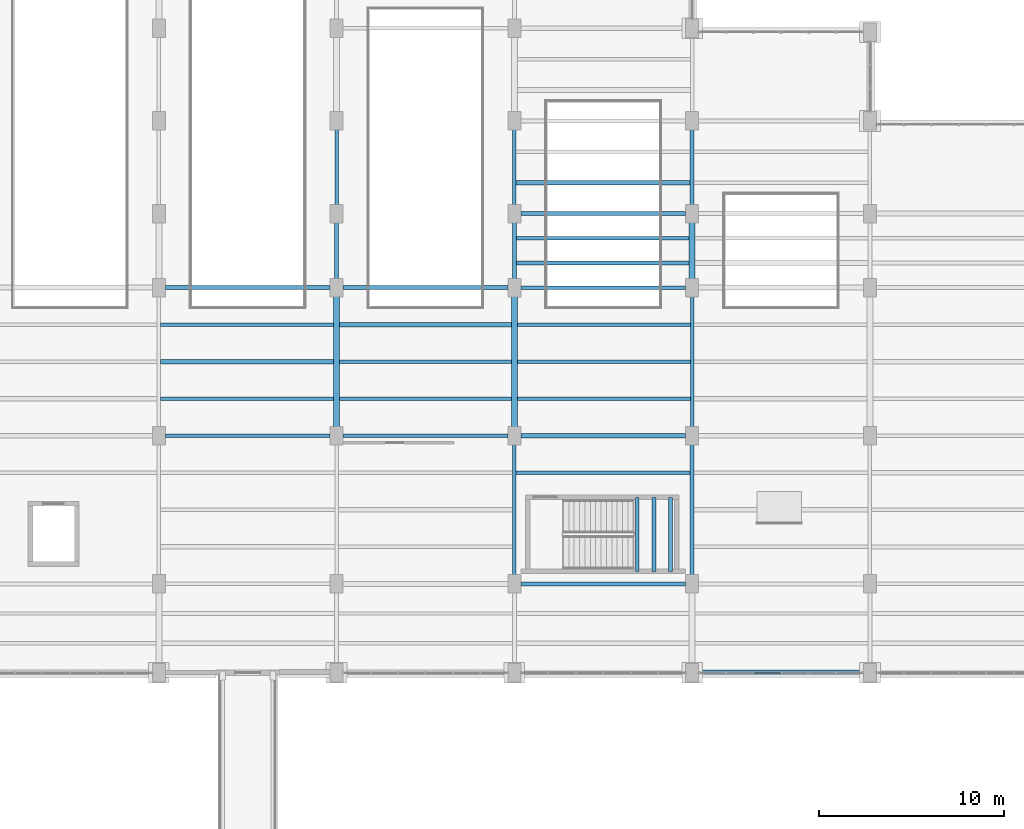
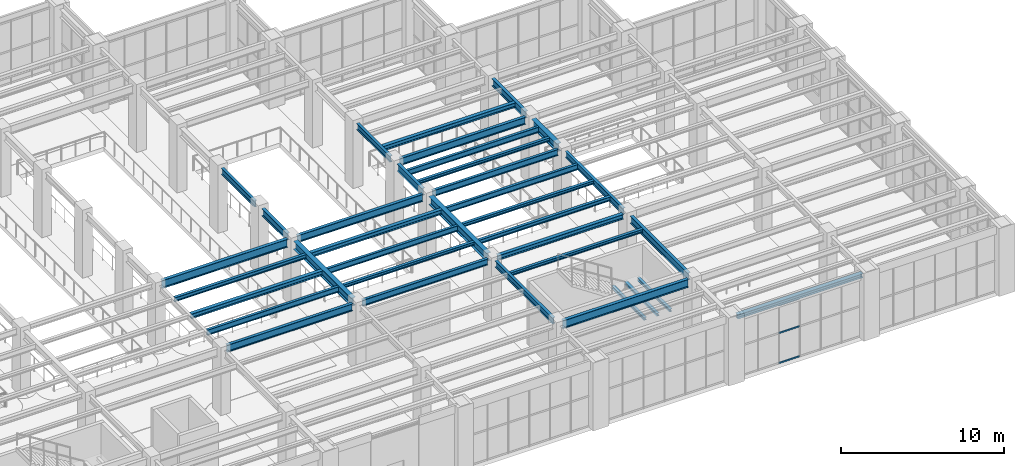
# One storey, part 101 of 174: 36 beams, 3 members, 1 element without a shape of its own.
"""IFC4 building model written with IfcOpenShell, lengths in metres."""

from ifc_helpers import new_model, si_unit, direction, frame, origin, origin_2d, place, context, subcontext, project, spatial, hollow_rectangle, i_section, extrude, material, material_profile, profile_set, type_object, element, aggregate, save


model = new_model("IFC4")

# Units and contexts
model_context = context("Model", 3, precision=1e-05, world=origin(), true_north=direction((0.0, 1.0)))
body_context = subcontext(model_context, "Body", "Model", "MODEL_VIEW")
ifc_project = project(units=[si_unit("LENGTHUNIT", "METRE"), si_unit("AREAUNIT", "SQUARE_METRE"), si_unit("VOLUMEUNIT", "CUBIC_METRE"), si_unit("PLANEANGLEUNIT", "RADIAN"), si_unit("MASSUNIT", "GRAM", prefix="KILO")], contexts=[model_context])

# Site, building, storey
site_placement = place(None, origin())
site = spatial("IfcSite", under=ifc_project, at=site_placement, CompositionType="ELEMENT")
building_placement = place(site_placement, origin())
building = spatial("IfcBuilding", under=site, at=building_placement, Name="Mavantir Sound Aquarium", CompositionType="ELEMENT")
storey_placement = place(building_placement, frame((0.0, 0.0, 5.39990234375)))
storey = spatial("IfcBuildingStorey", under=building, at=storey_placement, Name="L01", CompositionType="ELEMENT", Elevation=5.39990234375)

# Beams
ifc_material_1 = material(Name="Structural Steel ASTM A992 Gr50", Category="steel")
ifc_material_profile_1 = material_profile(ifc_material_1, i_section(OverallWidth=0.202880859375, OverallDepth=0.202880859375, WebThickness=0.007080078125, FlangeThickness=0.010986328125, FilletRadius=0.010009765625, at=origin_2d()), Name="W200X46")
ifc_profile_set_1 = profile_set([ifc_material_profile_1], Name="Structural Steel ASTM A992 Gr50")
beam_type_1 = type_object("IfcBeamType", Name="BM-W200X46-I", PredefinedType="LINTEL", material=ifc_profile_set_1)
for number, where, z_axis, x_axis, name in (
    (1, (153.0400390625, 41.47509765625, 2.24560546875), (0.0, 1.0, 0.0), (-1.0, 0.0, 0.0), "Stair ST12 landing support beam 76"),
    (2, (153.93505859375, 41.47509765625, 2.24560546875), (0.0, 1.0, 0.0), (-1.0, 0.0, 0.0), "Stair ST12 landing support beam 77"),
    (3, (154.830078125, 41.47509765625, 2.24560546875), (0.0, 1.0, 0.0), (-1.0, 0.0, 0.0), "Stair ST12 landing support beam 78"),
):
    element("IfcBeam", number, at=place(storey_placement, frame(where, z_axis=z_axis, x_axis=x_axis)), inside=storey, type_object=beam_type_1, Name=name, PredefinedType="LINTEL", context=body_context, shape_type="SweptSolid", body=[
        extrude(i_section(OverallWidth=0.202880859375, OverallDepth=0.202880859375, WebThickness=0.007080078125, FlangeThickness=0.010986328125, FilletRadius=0.010009765625, at=origin_2d()), origin(), (0.0, 0.0, 1.0), 4.0),
    ])
ifc_material_profile_2 = material_profile(ifc_material_1, i_section(OverallWidth=0.202880859375, OverallDepth=0.251953125, WebThickness=0.008056640625, FlangeThickness=0.013427734375, FilletRadius=0.011962890625, at=origin_2d()), Name="W250X58")
ifc_profile_set_2 = profile_set([ifc_material_profile_2], Name="Structural Steel ASTM A992 Gr50")
beam_type_2 = type_object("IfcBeamType", Name="BM-W250X58-I", PredefinedType="JOIST", material=ifc_profile_set_2)
beam_1_placement = place(storey_placement, frame((146.4970703125, 46.800048828125, 4.68017578125), z_axis=(1.0, 0.0, 0.0), x_axis=(0.0, 1.0, 0.0)))
element("IfcBeam", 4, at=beam_1_placement, inside=storey, type_object=beam_type_2, Name="L01 secondary floor joist SJ-25 744", PredefinedType="JOIST", context=body_context, shape_type="SweptSolid", body=[
    extrude(i_section(OverallWidth=0.202880859375, OverallDepth=0.251953125, WebThickness=0.008056640625, FlangeThickness=0.013427734375, FilletRadius=0.011962890625, at=origin_2d()), origin(), (0.0, 0.0, 1.0), 9.39697265625),
])
beam_2_placement = place(storey_placement, frame((136.9619140625, 50.800048828125, 4.68017578125), z_axis=(1.0, 0.0, 0.0), x_axis=(0.0, 1.0, 0.0)))
element("IfcBeam", 5, at=beam_2_placement, inside=storey, type_object=beam_type_2, Name="L01 secondary floor joist SJ-25 760", PredefinedType="JOIST", context=body_context, shape_type="SweptSolid", body=[
    extrude(i_section(OverallWidth=0.202880859375, OverallDepth=0.251953125, WebThickness=0.008056640625, FlangeThickness=0.013427734375, FilletRadius=0.011962890625, at=origin_2d()), origin(), (0.0, 0.0, 1.0), 9.276123046875),
])
beam_3_placement = place(storey_placement, frame((146.56201171875, 52.800048828125, 4.68017578125), z_axis=(1.0, 0.0, 0.0), x_axis=(0.0, 1.0, 0.0)))
element("IfcBeam", 6, at=beam_3_placement, inside=storey, type_object=beam_type_2, Name="L01 secondary floor joist SJ-25 764", PredefinedType="JOIST", context=body_context, shape_type="SweptSolid", body=[
    extrude(i_section(OverallWidth=0.202880859375, OverallDepth=0.251953125, WebThickness=0.008056640625, FlangeThickness=0.013427734375, FilletRadius=0.011962890625, at=origin_2d()), origin(), (0.0, 0.0, 1.0), 9.341064453125),
])
beam_4_placement = place(storey_placement, frame((146.506103515625, 58.13330078125, 4.68017578125), z_axis=(1.0, 0.0, 0.0), x_axis=(0.0, 1.0, 0.0)))
element("IfcBeam", 7, at=beam_4_placement, inside=storey, type_object=beam_type_2, Name="L01 secondary floor joist SJ-25 772", PredefinedType="JOIST", context=body_context, shape_type="SweptSolid", body=[
    extrude(i_section(OverallWidth=0.202880859375, OverallDepth=0.251953125, WebThickness=0.008056640625, FlangeThickness=0.013427734375, FilletRadius=0.011962890625, at=origin_2d()), origin(), (0.0, 0.0, 1.0), 9.331787109375),
])
ifc_material_profile_3 = material_profile(ifc_material_1, i_section(OverallWidth=0.205078125, OverallDepth=0.31005859375, WebThickness=0.009521484375, FlangeThickness=0.016357421875, FilletRadius=0.012939453125, at=origin_2d()), Name="W310X74")
ifc_profile_set_3 = profile_set([ifc_material_profile_3], Name="Structural Steel ASTM A992 Gr50")
beam_type_3 = type_object("IfcBeamType", Name="BM-W310X74-I", PredefinedType="JOIST", material=ifc_profile_set_3)
beam_5_placement = place(storey_placement, frame((127.297119140625, 54.800048828125, 4.651123046875), z_axis=(1.0, 0.0, 0.0), x_axis=(0.0, 1.0, 0.0)))
element("IfcBeam", 8, at=beam_5_placement, inside=storey, type_object=beam_type_3, Name="L01 secondary floor joist SJ-31 759", PredefinedType="JOIST", context=body_context, shape_type="SweptSolid", body=[
    extrude(i_section(OverallWidth=0.205078125, OverallDepth=0.31005859375, WebThickness=0.009521484375, FlangeThickness=0.016357421875, FilletRadius=0.012939453125, at=origin_2d()), origin(), (0.0, 0.0, 1.0), 9.3408203125),
])
beam_6_placement = place(storey_placement, frame((146.56201171875, 50.800048828125, 4.651123046875), z_axis=(1.0, 0.0, 0.0), x_axis=(0.0, 1.0, 0.0)))
element("IfcBeam", 9, at=beam_6_placement, inside=storey, type_object=beam_type_3, Name="L01 secondary floor joist SJ-31 763", PredefinedType="JOIST", context=body_context, shape_type="SweptSolid", body=[
    extrude(i_section(OverallWidth=0.205078125, OverallDepth=0.31005859375, WebThickness=0.009521484375, FlangeThickness=0.016357421875, FilletRadius=0.012939453125, at=origin_2d()), origin(), (0.0, 0.0, 1.0), 9.341064453125),
])
ifc_material_profile_4 = material_profile(ifc_material_1, i_section(OverallWidth=0.304931640625, OverallDepth=0.30810546875, WebThickness=0.010009765625, FlangeThickness=0.015380859375, FilletRadius=0.014892578125, at=origin_2d()), Name="W310X97")
ifc_profile_set_4 = profile_set([ifc_material_profile_4], Name="Structural Steel ASTM A992 Gr50")
beam_type_4 = type_object("IfcBeamType", Name="BM-W310X97-E", PredefinedType="SPANDREL", material=ifc_profile_set_4)
beam_7_placement = place(storey_placement, frame((156.35009765625, 36.0, 4.6220703125), z_axis=(1.0, 0.0, 0.0), x_axis=(0.0, 1.0, 0.0)))
element("IfcBeam", 10, at=beam_7_placement, inside=storey, type_object=beam_type_4, Name="L01 primary beam SS-31A 1243", PredefinedType="SPANDREL", context=body_context, shape_type="SweptSolid", body=[
    extrude(i_section(OverallWidth=0.304931640625, OverallDepth=0.30810546875, WebThickness=0.010009765625, FlangeThickness=0.015380859375, FilletRadius=0.014892578125, at=origin_2d()), origin(), (0.0, 0.0, 1.0), 8.89990234375),
])
ifc_material_profile_5 = material_profile(ifc_material_1, i_section(OverallWidth=0.257080078125, OverallDepth=0.363037109375, WebThickness=0.012939453125, FlangeThickness=0.021728515625, FilletRadius=0.014892578125, at=origin_2d()), Name="W360X122")
ifc_profile_set_5 = profile_set([ifc_material_profile_5], Name="Structural Steel ASTM A992 Gr50")
beam_type_5 = type_object("IfcBeamType", Name="BM-W360X122-I", PredefinedType="BEAM", material=ifc_profile_set_5)
beam_8_placement = place(storey_placement, frame((146.75, 48.800048828125, 4.62451171875), z_axis=(1.0, 0.0, 0.0), x_axis=(0.0, 1.0, 0.0)))
element("IfcBeam", 11, at=beam_8_placement, inside=storey, type_object=beam_type_5, Name="L01 primary beam SB-36A 1256", PredefinedType="BEAM", context=body_context, shape_type="SweptSolid", body=[
    extrude(i_section(OverallWidth=0.257080078125, OverallDepth=0.363037109375, WebThickness=0.012939453125, FlangeThickness=0.021728515625, FilletRadius=0.014892578125, at=origin_2d()), origin(), (0.0, 0.0, 1.0), 8.89990234375),
])
ifc_material_profile_6 = material_profile(ifc_material_1, i_section(OverallWidth=0.25390625, OverallDepth=0.35302734375, WebThickness=0.009521484375, FlangeThickness=0.016357421875, FilletRadius=0.014892578125, at=origin_2d()), Name="W360X91")
ifc_profile_set_6 = profile_set([ifc_material_profile_6], Name="Structural Steel ASTM A992 Gr50")
beam_type_6 = type_object("IfcBeamType", Name="BM-W360X91-I", PredefinedType="JOIST", material=ifc_profile_set_6)
beam_9_placement = place(storey_placement, frame((127.297119140625, 52.800048828125, 4.629638671875), z_axis=(1.0, 0.0, 0.0), x_axis=(0.0, 1.0, 0.0)))
element("IfcBeam", 12, at=beam_9_placement, inside=storey, type_object=beam_type_6, Name="L01 secondary floor joist SJ-36 758", PredefinedType="JOIST", context=body_context, shape_type="SweptSolid", body=[
    extrude(i_section(OverallWidth=0.25390625, OverallDepth=0.35302734375, WebThickness=0.009521484375, FlangeThickness=0.016357421875, FilletRadius=0.014892578125, at=origin_2d()), origin(), (0.0, 0.0, 1.0), 9.3408203125),
])
beam_10_placement = place(storey_placement, frame((136.9619140625, 54.800048828125, 4.629638671875), z_axis=(1.0, 0.0, 0.0), x_axis=(0.0, 1.0, 0.0)))
element("IfcBeam", 13, at=beam_10_placement, inside=storey, type_object=beam_type_6, Name="L01 secondary floor joist SJ-36 762", PredefinedType="JOIST", context=body_context, shape_type="SweptSolid", body=[
    extrude(i_section(OverallWidth=0.25390625, OverallDepth=0.35302734375, WebThickness=0.009521484375, FlangeThickness=0.016357421875, FilletRadius=0.014892578125, at=origin_2d()), origin(), (0.0, 0.0, 1.0), 9.276123046875),
])
beam_11_placement = place(storey_placement, frame((146.4970703125, 62.466796875, 4.629638671875), z_axis=(1.0, 0.0, 0.0), x_axis=(0.0, 1.0, 0.0)))
element("IfcBeam", 14, at=beam_11_placement, inside=storey, type_object=beam_type_6, Name="L01 secondary floor joist SJ-36 778", PredefinedType="JOIST", context=body_context, shape_type="SweptSolid", body=[
    extrude(i_section(OverallWidth=0.25390625, OverallDepth=0.35302734375, WebThickness=0.009521484375, FlangeThickness=0.016357421875, FilletRadius=0.014892578125, at=origin_2d()), origin(), (0.0, 0.0, 1.0), 9.39697265625),
])
ifc_material_profile_7 = material_profile(ifc_material_1, i_section(OverallWidth=0.180908203125, OverallDepth=0.4169921875, WebThickness=0.010986328125, FlangeThickness=0.018310546875, FilletRadius=0.014892578125, at=origin_2d()), Name="W410X85")
ifc_profile_set_7 = profile_set([ifc_material_profile_7], Name="Structural Steel ASTM A992 Gr50")
beam_type_7 = type_object("IfcBeamType", Name="BM-W410X85-I", PredefinedType="JOIST", material=ifc_profile_set_7)
beam_12_placement = place(storey_placement, frame((127.297119140625, 50.800048828125, 4.59765625), z_axis=(1.0, 0.0, 0.0), x_axis=(0.0, 1.0, 0.0)))
element("IfcBeam", 15, at=beam_12_placement, inside=storey, type_object=beam_type_7, Name="L01 secondary floor joist SJ-41 757", PredefinedType="JOIST", context=body_context, shape_type="SweptSolid", body=[
    extrude(i_section(OverallWidth=0.180908203125, OverallDepth=0.4169921875, WebThickness=0.010986328125, FlangeThickness=0.018310546875, FilletRadius=0.014892578125, at=origin_2d()), origin(), (0.0, 0.0, 1.0), 9.3408203125),
])
beam_13_placement = place(storey_placement, frame((136.9619140625, 52.800048828125, 4.59765625), z_axis=(1.0, 0.0, 0.0), x_axis=(0.0, 1.0, 0.0)))
element("IfcBeam", 16, at=beam_13_placement, inside=storey, type_object=beam_type_7, Name="L01 secondary floor joist SJ-41 761", PredefinedType="JOIST", context=body_context, shape_type="SweptSolid", body=[
    extrude(i_section(OverallWidth=0.180908203125, OverallDepth=0.4169921875, WebThickness=0.010986328125, FlangeThickness=0.018310546875, FilletRadius=0.014892578125, at=origin_2d()), origin(), (0.0, 0.0, 1.0), 9.276123046875),
])
beam_14_placement = place(storey_placement, frame((146.56201171875, 54.800048828125, 4.59765625), z_axis=(1.0, 0.0, 0.0), x_axis=(0.0, 1.0, 0.0)))
element("IfcBeam", 17, at=beam_14_placement, inside=storey, type_object=beam_type_7, Name="L01 secondary floor joist SJ-41 765", PredefinedType="JOIST", context=body_context, shape_type="SweptSolid", body=[
    extrude(i_section(OverallWidth=0.180908203125, OverallDepth=0.4169921875, WebThickness=0.010986328125, FlangeThickness=0.018310546875, FilletRadius=0.014892578125, at=origin_2d()), origin(), (0.0, 0.0, 1.0), 9.341064453125),
])
beam_15_placement = place(storey_placement, frame((146.506103515625, 59.466796875, 4.59765625), z_axis=(1.0, 0.0, 0.0), x_axis=(0.0, 1.0, 0.0)))
element("IfcBeam", 18, at=beam_15_placement, inside=storey, type_object=beam_type_7, Name="L01 secondary floor joist SJ-41 773", PredefinedType="JOIST", context=body_context, shape_type="SweptSolid", body=[
    extrude(i_section(OverallWidth=0.180908203125, OverallDepth=0.4169921875, WebThickness=0.010986328125, FlangeThickness=0.018310546875, FilletRadius=0.014892578125, at=origin_2d()), origin(), (0.0, 0.0, 1.0), 9.331787109375),
])
ifc_material_profile_8 = material_profile(ifc_material_1, i_section(OverallWidth=0.194091796875, OverallDepth=0.468994140625, WebThickness=0.0126953125, FlangeThickness=0.0205078125, FilletRadius=0.01611328125, at=origin_2d()), Name="W460X106")
ifc_profile_set_8 = profile_set([ifc_material_profile_8], Name="Structural Steel ASTM A992 Gr50")
beam_type_8 = type_object("IfcBeamType", Name="BM-W460X106-I", PredefinedType="BEAM", material=ifc_profile_set_8)
beam_16_placement = place(storey_placement, frame((137.14990234375, 48.800048828125, 4.571533203125), z_axis=(1.0, 0.0, 0.0), x_axis=(0.0, 1.0, 0.0)))
element("IfcBeam", 19, at=beam_16_placement, inside=storey, type_object=beam_type_8, Name="L01 primary beam SB-46 1255", PredefinedType="BEAM", context=body_context, shape_type="SweptSolid", body=[
    extrude(i_section(OverallWidth=0.194091796875, OverallDepth=0.468994140625, WebThickness=0.0126953125, FlangeThickness=0.0205078125, FilletRadius=0.01611328125, at=origin_2d()), origin(), (0.0, 0.0, 1.0), 8.900146484375),
])
beam_17_placement = place(storey_placement, frame((146.75, 56.800048828125, 4.571533203125), z_axis=(1.0, 0.0, 0.0), x_axis=(0.0, 1.0, 0.0)))
element("IfcBeam", 20, at=beam_17_placement, inside=storey, type_object=beam_type_8, Name="L01 primary beam SB-46 1263", PredefinedType="BEAM", context=body_context, shape_type="SweptSolid", body=[
    extrude(i_section(OverallWidth=0.194091796875, OverallDepth=0.468994140625, WebThickness=0.0126953125, FlangeThickness=0.0205078125, FilletRadius=0.01611328125, at=origin_2d()), origin(), (0.0, 0.0, 1.0), 8.89990234375),
])
beam_18_placement = place(storey_placement, frame((136.800048828125, 61.25, 4.571533203125), z_axis=(0.0, 1.0, 0.0), x_axis=(-1.0, 0.0, 0.0)))
element("IfcBeam", 21, at=beam_18_placement, inside=storey, type_object=beam_type_8, Name="L01 primary girder SB-46 1326", PredefinedType="BEAM", context=body_context, shape_type="SweptSolid", body=[
    extrude(i_section(OverallWidth=0.194091796875, OverallDepth=0.468994140625, WebThickness=0.0126953125, FlangeThickness=0.0205078125, FilletRadius=0.01611328125, at=origin_2d()), origin(), (0.0, 0.0, 1.0), 4.10009765625),
])
beam_19_placement = place(storey_placement, frame((146.39990234375, 41.25, 4.571533203125), z_axis=(0.0, 1.0, 0.0), x_axis=(-1.0, 0.0, 0.0)))
element("IfcBeam", 22, at=beam_19_placement, inside=storey, type_object=beam_type_8, Name="L01 primary girder SB-46 1332", PredefinedType="BEAM", context=body_context, shape_type="SweptSolid", body=[
    extrude(i_section(OverallWidth=0.194091796875, OverallDepth=0.468994140625, WebThickness=0.0126953125, FlangeThickness=0.0205078125, FilletRadius=0.01611328125, at=origin_2d()), origin(), (0.0, 0.0, 1.0), 7.10009765625),
])
beam_20_placement = place(storey_placement, frame((146.39990234375, 61.25, 4.571533203125), z_axis=(0.0, 1.0, 0.0), x_axis=(-1.0, 0.0, 0.0)))
element("IfcBeam", 23, at=beam_20_placement, inside=storey, type_object=beam_type_8, Name="L01 primary girder SB-46 1335", PredefinedType="BEAM", context=body_context, shape_type="SweptSolid", body=[
    extrude(i_section(OverallWidth=0.194091796875, OverallDepth=0.468994140625, WebThickness=0.0126953125, FlangeThickness=0.0205078125, FilletRadius=0.01611328125, at=origin_2d()), origin(), (0.0, 0.0, 1.0), 4.10009765625),
])
beam_21_placement = place(storey_placement, frame((156.0, 49.25, 4.571533203125), z_axis=(0.0, 1.0, 0.0), x_axis=(-1.0, 0.0, 0.0)))
element("IfcBeam", 24, at=beam_21_placement, inside=storey, type_object=beam_type_8, Name="L01 primary girder SB-46 1341", PredefinedType="BEAM", context=body_context, shape_type="SweptSolid", body=[
    extrude(i_section(OverallWidth=0.194091796875, OverallDepth=0.468994140625, WebThickness=0.0126953125, FlangeThickness=0.0205078125, FilletRadius=0.01611328125, at=origin_2d()), origin(), (0.0, 0.0, 1.0), 7.10009765625),
])
ifc_material_profile_9 = material_profile(ifc_material_1, i_section(OverallWidth=0.2119140625, OverallDepth=0.5439453125, WebThickness=0.01318359375, FlangeThickness=0.021240234375, FilletRadius=0.01806640625, at=origin_2d()), Name="W530X123")
ifc_profile_set_9 = profile_set([ifc_material_profile_9], Name="Structural Steel ASTM A992 Gr50")
beam_type_9 = type_object("IfcBeamType", Name="BM-W530X123-I", PredefinedType="BEAM", material=ifc_profile_set_9)
beam_22_placement = place(storey_placement, frame((127.550048828125, 48.800048828125, 4.5341796875), z_axis=(1.0, 0.0, 0.0), x_axis=(0.0, 1.0, 0.0)))
element("IfcBeam", 25, at=beam_22_placement, inside=storey, type_object=beam_type_9, Name="L01 primary beam SB-53 1254", PredefinedType="BEAM", context=body_context, shape_type="SweptSolid", body=[
    extrude(i_section(OverallWidth=0.2119140625, OverallDepth=0.5439453125, WebThickness=0.01318359375, FlangeThickness=0.021240234375, FilletRadius=0.01806640625, at=origin_2d()), origin(), (0.0, 0.0, 1.0), 8.89990234375),
])
beam_23_placement = place(storey_placement, frame((137.14990234375, 56.800048828125, 4.5341796875), z_axis=(1.0, 0.0, 0.0), x_axis=(0.0, 1.0, 0.0)))
element("IfcBeam", 26, at=beam_23_placement, inside=storey, type_object=beam_type_9, Name="L01 primary beam SB-53 1262", PredefinedType="BEAM", context=body_context, shape_type="SweptSolid", body=[
    extrude(i_section(OverallWidth=0.2119140625, OverallDepth=0.5439453125, WebThickness=0.01318359375, FlangeThickness=0.021240234375, FilletRadius=0.01806640625, at=origin_2d()), origin(), (0.0, 0.0, 1.0), 8.900146484375),
])
beam_24_placement = place(storey_placement, frame((146.75, 60.800048828125, 4.5341796875), z_axis=(1.0, 0.0, 0.0), x_axis=(0.0, 1.0, 0.0)))
element("IfcBeam", 27, at=beam_24_placement, inside=storey, type_object=beam_type_9, Name="L01 primary beam SB-53 1266", PredefinedType="BEAM", context=body_context, shape_type="SweptSolid", body=[
    extrude(i_section(OverallWidth=0.2119140625, OverallDepth=0.5439453125, WebThickness=0.01318359375, FlangeThickness=0.021240234375, FilletRadius=0.01806640625, at=origin_2d()), origin(), (0.0, 0.0, 1.0), 8.89990234375),
])
for number, where, z_axis, x_axis, name in (
    (28, (136.800048828125, 57.25, 4.5341796875), (0.0, 1.0, 0.0), (-1.0, 0.0, 0.0), "L01 primary girder SB-53 1325"),
    (29, (146.39990234375, 57.25, 4.5341796875), (0.0, 1.0, 0.0), (-1.0, 0.0, 0.0), "L01 primary girder SB-53 1334"),
):
    element("IfcBeam", number, at=place(storey_placement, frame(where, z_axis=z_axis, x_axis=x_axis)), inside=storey, type_object=beam_type_9, Name=name, PredefinedType="BEAM", context=body_context, shape_type="SweptSolid", body=[
        extrude(i_section(OverallWidth=0.2119140625, OverallDepth=0.5439453125, WebThickness=0.01318359375, FlangeThickness=0.021240234375, FilletRadius=0.01806640625, at=origin_2d()), origin(), (0.0, 0.0, 1.0), 3.10009765625),
    ])
beam_25_placement = place(storey_placement, frame((156.0, 41.25, 4.5341796875), z_axis=(0.0, 1.0, 0.0), x_axis=(-1.0, 0.0, 0.0)))
element("IfcBeam", 30, at=beam_25_placement, inside=storey, type_object=beam_type_9, Name="L01 primary girder SB-53 1340", PredefinedType="BEAM", context=body_context, shape_type="SweptSolid", body=[
    extrude(i_section(OverallWidth=0.2119140625, OverallDepth=0.5439453125, WebThickness=0.01318359375, FlangeThickness=0.021240234375, FilletRadius=0.01806640625, at=origin_2d()), origin(), (0.0, 0.0, 1.0), 7.10009765625),
])
beam_26_placement = place(storey_placement, frame((156.0, 61.25, 4.5341796875), z_axis=(0.0, 1.0, 0.0), x_axis=(-1.0, 0.0, 0.0)))
element("IfcBeam", 31, at=beam_26_placement, inside=storey, type_object=beam_type_9, Name="L01 primary girder SB-53 1343", PredefinedType="BEAM", context=body_context, shape_type="SweptSolid", body=[
    extrude(i_section(OverallWidth=0.2119140625, OverallDepth=0.5439453125, WebThickness=0.01318359375, FlangeThickness=0.021240234375, FilletRadius=0.01806640625, at=origin_2d()), origin(), (0.0, 0.0, 1.0), 4.10009765625),
])
ifc_material_profile_10 = material_profile(ifc_material_1, i_section(OverallWidth=0.22900390625, OverallDepth=0.612060546875, WebThickness=0.011962890625, FlangeThickness=0.01953125, FilletRadius=0.01904296875, at=origin_2d()), Name="W610X125")
ifc_profile_set_10 = profile_set([ifc_material_profile_10], Name="Structural Steel ASTM A992 Gr50")
beam_type_10 = type_object("IfcBeamType", Name="BM-W610X125-I", PredefinedType="BEAM", material=ifc_profile_set_10)
for number, where, z_axis, x_axis, name in (
    (32, (146.75, 40.800048828125, 4.47021484375), (1.0, 0.0, 0.0), (0.0, 1.0, 0.0), "L01 primary beam SB-61B 1249"),
    (33, (127.550048828125, 56.800048828125, 4.5), (1.0, 0.0, 0.0), (0.0, 1.0, 0.0), "L01 primary beam SB-61B 1261"),
):
    element("IfcBeam", number, at=place(storey_placement, frame(where, z_axis=z_axis, x_axis=x_axis)), inside=storey, type_object=beam_type_10, Name=name, PredefinedType="BEAM", context=body_context, shape_type="SweptSolid", body=[
        extrude(i_section(OverallWidth=0.22900390625, OverallDepth=0.612060546875, WebThickness=0.011962890625, FlangeThickness=0.01953125, FilletRadius=0.01904296875, at=origin_2d()), origin(), (0.0, 0.0, 1.0), 8.89990234375),
    ])
ifc_material_profile_11 = material_profile(ifc_material_1, i_section(OverallWidth=0.323974609375, OverallDepth=0.611083984375, WebThickness=0.0126953125, FlangeThickness=0.01904296875, FilletRadius=0.01904296875, at=origin_2d()), Name="W610X155")
ifc_profile_set_11 = profile_set([ifc_material_profile_11], Name="Structural Steel ASTM A992 Gr50")
beam_type_11 = type_object("IfcBeamType", Name="BM-W610X155-I", PredefinedType="BEAM", material=ifc_profile_set_11)
for number, where, z_axis, x_axis, name in (
    (34, (136.800048828125, 49.25, 4.50048828125), (0.0, 1.0, 0.0), (-1.0, 0.0, 0.0), "L01 primary girder SB-61A 1324"),
    (35, (146.39990234375, 49.25, 4.50048828125), (0.0, 1.0, 0.0), (-1.0, 0.0, 0.0), "L01 primary girder SB-61A 1333"),
):
    element("IfcBeam", number, at=place(storey_placement, frame(where, z_axis=z_axis, x_axis=x_axis)), inside=storey, type_object=beam_type_11, Name=name, PredefinedType="BEAM", context=body_context, shape_type="SweptSolid", body=[
        extrude(i_section(OverallWidth=0.323974609375, OverallDepth=0.611083984375, WebThickness=0.0126953125, FlangeThickness=0.01904296875, FilletRadius=0.01904296875, at=origin_2d()), origin(), (0.0, 0.0, 1.0), 7.10009765625),
    ])
beam_27_placement = place(storey_placement, frame((156.0, 57.25, 4.50048828125), z_axis=(0.0, 1.0, 0.0), x_axis=(-1.0, 0.0, 0.0)))
element("IfcBeam", 36, at=beam_27_placement, inside=storey, type_object=beam_type_11, Name="L01 primary girder SB-61A 1342", PredefinedType="BEAM", context=body_context, shape_type="SweptSolid", body=[
    extrude(i_section(OverallWidth=0.323974609375, OverallDepth=0.611083984375, WebThickness=0.0126953125, FlangeThickness=0.01904296875, FilletRadius=0.01904296875, at=origin_2d()), origin(), (0.0, 0.0, 1.0), 3.10009765625),
])

# Curtain wall, members
ifc_material_2 = material(Name="Anodised Marine Aluminium and Low-E Glass", Category="aluminium")
curtain_wall_type = type_object("IfcCurtainWallType", Name="CW-T06", PredefinedType="USERDEFINED", material=ifc_material_2)
curtain_wall_placement = place(storey_placement, origin())
curtain_wall = element("IfcCurtainWall", 37, at=curtain_wall_placement, inside=storey, type_object=curtain_wall_type, Name="L01 unitised curtain wall CW-06 102", ObjectType="UNITISED GLAZING", PredefinedType="USERDEFINED")
ifc_material_3 = material(Name="Anodised Marine Aluminium 6063-T6", Category="aluminium")
ifc_material_profile_12 = material_profile(ifc_material_3, hollow_rectangle(XDim=0.06005859375, YDim=0.110107421875, WallThickness=0.00390625, at=origin_2d()), Name="ALU-TRANSOM-110X60")
ifc_profile_set_12 = profile_set([ifc_material_profile_12], Name="Anodised Marine Aluminium 6063-T6")
member_type = type_object("IfcMemberType", Name="CW-TRN-110", PredefinedType="USERDEFINED", material=ifc_profile_set_12)
member_1_placement = place(storey_placement, frame((159.3193359375, 36.0, 0.05517578125), z_axis=(1.0, 0.0, 0.0), x_axis=(0.0, 1.0, 0.0)))
member_1 = element("IfcMember", 38, at=member_1_placement, type_object=member_type, Name="CW-L01-102 transom 3.1", ObjectType="TRANSOM", PredefinedType="USERDEFINED", context=body_context, shape_type="SweptSolid", body=[
    extrude(hollow_rectangle(XDim=0.06005859375, YDim=0.110107421875, WallThickness=0.00390625, at=origin_2d()), origin(), (0.0, 0.0, 1.0), 1.480712890625),
])
member_2_placement = place(storey_placement, frame((159.3193359375, 36.0, 2.307861328125), z_axis=(1.0, 0.0, 0.0), x_axis=(0.0, 1.0, 0.0)))
member_2 = element("IfcMember", 39, at=member_2_placement, type_object=member_type, Name="CW-L01-102 transom 3.2", ObjectType="TRANSOM", PredefinedType="USERDEFINED", context=body_context, shape_type="SweptSolid", body=[
    extrude(hollow_rectangle(XDim=0.06005859375, YDim=0.110107421875, WallThickness=0.00390625, at=origin_2d()), origin(), (0.0, 0.0, 1.0), 1.480712890625),
])
member_3_placement = place(storey_placement, frame((159.3193359375, 36.0, 4.383056640625), z_axis=(1.0, 0.0, 0.0), x_axis=(0.0, 1.0, 0.0)))
member_3 = element("IfcMember", 40, at=member_3_placement, type_object=member_type, Name="CW-L01-102 transom 3.3", ObjectType="TRANSOM", PredefinedType="USERDEFINED", context=body_context, shape_type="SweptSolid", body=[
    extrude(hollow_rectangle(XDim=0.06005859375, YDim=0.110107421875, WallThickness=0.00390625, at=origin_2d()), origin(), (0.0, 0.0, 1.0), 1.480712890625),
])
aggregate(curtain_wall, [member_1, member_2, member_3])

save(model, "model.ifc")
